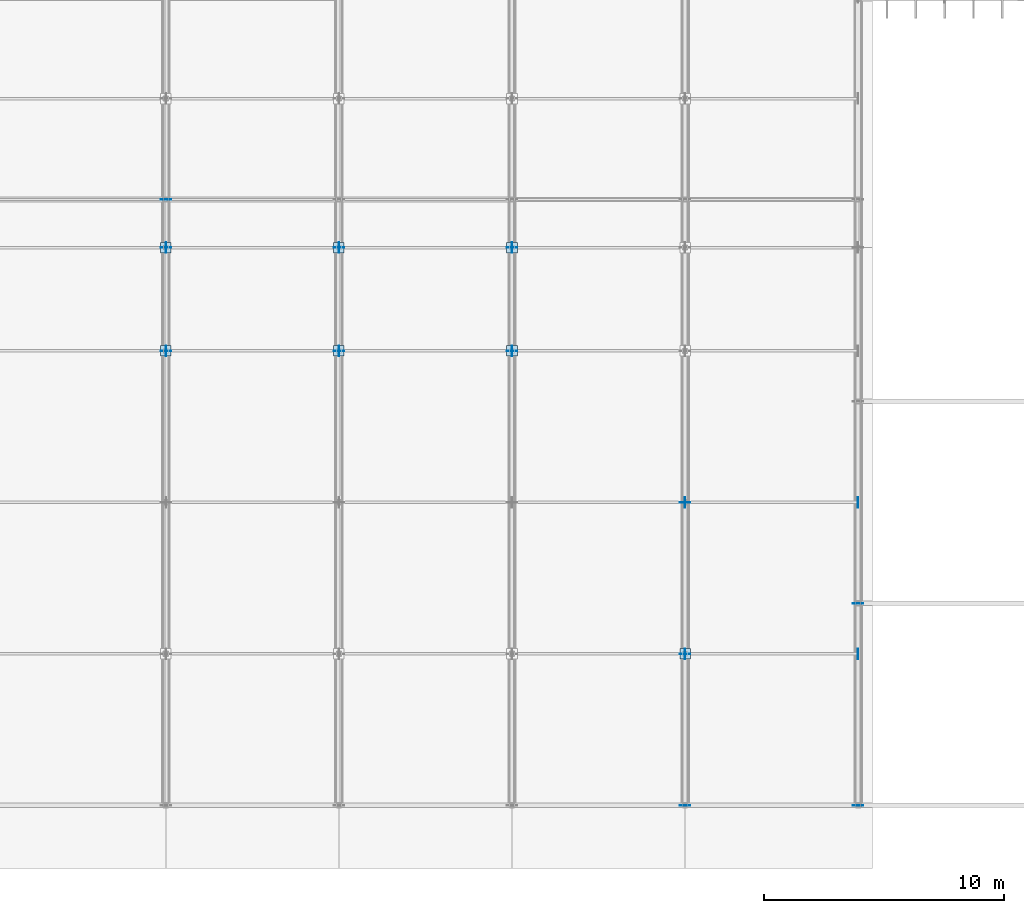
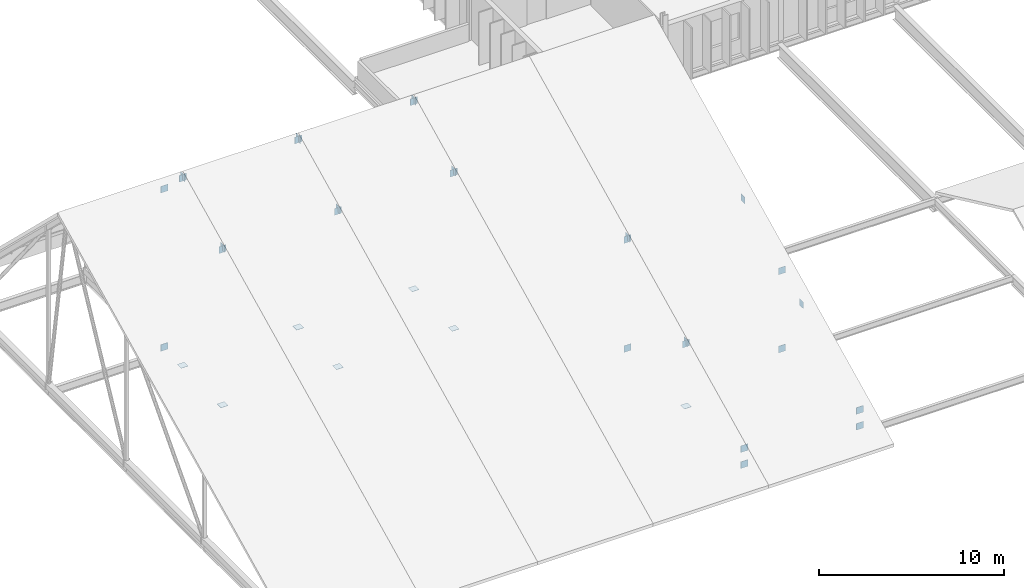
# One storey, part 70 of 99: 34 plates.
"""IFC4 building model written with IfcOpenShell, lengths in metres."""

import ifcopenshell
import ifcopenshell.guid

model = None  # the IFC model being written
_history = None  # IfcOwnerHistory: only IFC2X3 demands one
_inside = {}  # id of a spatial element -> (the spatial element, [elements in it])
_under = {}  # id of a project, library or spatial element -> (it, [spatial elements below it])
_declared = {}  # id of a project -> (the project, [libraries it declares])
_typed = {}  # id of a type object -> (the type object, [elements of that type])
_made_of = {}  # id of a material, layer set ... -> (it, [elements and type objects made of it])


def new_model(schema):
    """Start an empty IFC model of exactly this schema.

    Asked for "IFC4X3", IfcOpenShell would pick the latest addendum, in which some entities
    have other attributes; the version numbers below select the first issue.
    IFC2X3 requires an IfcOwnerHistory on every rooted entity: one is made here for all.
    """
    global model, _history
    if schema == "IFC4X3":
        model = ifcopenshell.file(schema_version=(4, 3, 0, 0))
    else:
        model = ifcopenshell.file(schema=schema)
    _inside.clear()
    _under.clear()
    _declared.clear()
    _typed.clear()
    _made_of.clear()
    _history = None
    if model.schema == "IFC2X3":
        org = make("IfcOrganization", Name="unknown")
        user = make(
            "IfcPersonAndOrganization",
            ThePerson=make("IfcPerson", FamilyName="unknown"),
            TheOrganization=org,
        )
        app = make(
            "IfcApplication",
            ApplicationDeveloper=org,
            Version="unknown",
            ApplicationFullName="unknown",
            ApplicationIdentifier="unknown",
        )
        _history = make(
            "IfcOwnerHistory",
            OwningUser=user,
            OwningApplication=app,
            ChangeAction="ADDED",
            CreationDate=0,
        )
    return model


def make(cls, **values):
    """One entity of the class cls with the attributes given. An attribute that is None is left unset."""
    return model.create_entity(
        cls, **{name: value for name, value in values.items() if value is not None}
    )


def rooted(cls, **values):
    """An entity with a GlobalId (a new one), such as an element, a storey or a relation."""
    return make(cls, GlobalId=ifcopenshell.guid.new(), OwnerHistory=_history, **values)


def si_unit(unit_type, name, prefix=None):
    """IfcSIUnit, for example si_unit("LENGTHUNIT", "METRE", prefix="MILLI")."""
    return make("IfcSIUnit", UnitType=unit_type, Prefix=prefix, Name=name)


def assignment(units):
    """IfcUnitAssignment: the units of a project."""
    return None if units is None else make("IfcUnitAssignment", Units=units)


def point(xyz):
    """IfcCartesianPoint."""
    return None if xyz is None else make("IfcCartesianPoint", Coordinates=xyz)


def direction(xyz):
    """IfcDirection."""
    return None if xyz is None else make("IfcDirection", DirectionRatios=xyz)


def frame(location, z_axis=None, x_axis=None):
    """IfcAxis2Placement3D, a coordinate frame: its origin and axes. An axis left out is left unset."""
    return make(
        "IfcAxis2Placement3D",
        Location=point(location),
        Axis=direction(z_axis),
        RefDirection=direction(x_axis),
    )


def frame_2d(location, x_axis=None):
    """IfcAxis2Placement2D, a coordinate frame in the plane: its origin and x axis."""
    return make(
        "IfcAxis2Placement2D", Location=point(location), RefDirection=direction(x_axis)
    )


def origin():
    """The frame at (0, 0, 0) with its axes left unset."""
    return frame((0.0, 0.0, 0.0))


def origin_2d():
    """The frame at (0, 0) in the plane with its x axis left unset."""
    return frame_2d((0.0, 0.0))


def place(relative_to, where):
    """IfcLocalPlacement: puts the frame where relative to a parent placement (None: the world)."""
    return make(
        "IfcLocalPlacement", PlacementRelTo=relative_to, RelativePlacement=where
    )


def context(
    kind, dimensions, precision=None, world=None, true_north=None, identifier=None
):
    """IfcGeometricRepresentationContext, for example the 3D "Model" context."""
    return make(
        "IfcGeometricRepresentationContext",
        ContextIdentifier=identifier,
        ContextType=kind,
        CoordinateSpaceDimension=dimensions,
        Precision=precision,
        WorldCoordinateSystem=world,
        TrueNorth=true_north,
    )


def subcontext(parent, identifier, kind, view, scale=None):
    """IfcGeometricRepresentationSubContext, for example "Body" below "Model"."""
    return make(
        "IfcGeometricRepresentationSubContext",
        ContextIdentifier=identifier,
        ContextType=kind,
        ParentContext=parent,
        TargetScale=scale,
        TargetView=view,
    )


def project(units=None, contexts=None):
    """IfcProject with its units and contexts."""
    return rooted(
        "IfcProject",
        Name="project",
        RepresentationContexts=contexts,
        UnitsInContext=assignment(units),
    )


def spatial(cls, under=None, at=None, **own):
    """A site, building, storey or space (cls), placed at a placement, below another one or the project."""
    s = rooted(cls, ObjectPlacement=at, **own)
    if under is not None:
        _under.setdefault(under.id(), (under, []))[1].append(s)
    return s


def profile(cls, at=None, kind="AREA", **sizes):
    """A parametric profile (cls). Its sizes go by their IFC names, for example OverallWidth=200.0."""
    return make(cls, ProfileType=kind, Position=at, **sizes)


def rectangle(**sizes):
    """IfcRectangleProfileDef."""
    return profile("IfcRectangleProfileDef", **sizes)


def extrude(swept, where, along, depth):
    """IfcExtrudedAreaSolid: the profile swept, set in the frame where, extruded along a direction by depth."""
    return make(
        "IfcExtrudedAreaSolid",
        SweptArea=swept,
        Position=where,
        ExtrudedDirection=direction(along),
        Depth=depth,
    )


def shape(context_of_items, identifier, shape_type, items):
    """IfcShapeRepresentation: the items that make up one representation, for example the "Body"."""
    return make(
        "IfcShapeRepresentation",
        ContextOfItems=context_of_items,
        RepresentationIdentifier=identifier,
        RepresentationType=shape_type,
        Items=items,
    )


def material(Name=None, Category=None):
    """IfcMaterial."""
    return make("IfcMaterial", Name=Name, Category=Category)


def layer(
    of_material, thickness, ventilated=None, Name=None, Category=None, Priority=None
):
    """IfcMaterialLayer: one layer of a wall or slab, of a material (None: an air gap)."""
    return make(
        "IfcMaterialLayer",
        Material=of_material,
        LayerThickness=thickness,
        IsVentilated=ventilated,
        Name=Name,
        Category=Category,
        Priority=Priority,
    )


def layer_set(layers, Name=None):
    """IfcMaterialLayerSet."""
    return make("IfcMaterialLayerSet", MaterialLayers=layers, LayerSetName=Name)


def made_of(thing, what):
    """Note that an element or type object is made of a material, layer set ...; save() writes the relation."""
    if what is not None:
        _made_of.setdefault(what.id(), (what, []))[1].append(thing)
    return thing


def type_object(cls, material=None, **own):
    """A type object (cls), such as IfcWallType, which elements share."""
    return made_of(rooted(cls, **own), material)


def element(
    cls,
    number,
    at=None,
    inside=None,
    cuts=None,
    type_object=None,
    material=None,
    context=None,
    identifier="Body",
    shape_type=None,
    held_by="IfcProductDefinitionShape",
    body=None,
    shapes=None,
    **own,
):
    """One element of the class cls, such as IfcWall. Its Tag is "e" and its number.

    at: its placement. inside: the storey or other place that contains it. cuts: it is an
    opening in that element (IfcRelVoidsElement). A single representation is given by context,
    identifier, shape_type and body (its items); several are given by shapes. held_by: the class
    of the entity that holds the representations. save() writes the other relations.
    """
    e = rooted(cls, Tag="e%d" % number, ObjectPlacement=at, **own)
    if body is not None:
        shapes = [shape(context, identifier, shape_type, body)]
    if shapes is not None:
        e.Representation = make(held_by, Representations=shapes)
    if inside is not None:
        _inside.setdefault(inside.id(), (inside, []))[1].append(e)
    if cuts is not None:
        rooted(
            "IfcRelVoidsElement", RelatingBuildingElement=cuts, RelatedOpeningElement=e
        )
    if type_object is not None:
        _typed.setdefault(type_object.id(), (type_object, []))[1].append(e)
    return made_of(e, material)


def aggregate(whole, parts):
    """IfcRelAggregates: a whole, such as a stair, and the parts it consists of."""
    return rooted("IfcRelAggregates", RelatingObject=whole, RelatedObjects=parts)


def save(model, path):
    """Write the relations noted so far, then the file.

    IfcRelAggregates (storeys below a building ...), IfcRelContainedInSpatialStructure (elements
    in a storey), IfcRelDefinesByType, IfcRelAssociatesMaterial and IfcRelDeclares: one each for
    every whole, place, type object, material and project.
    """
    for whole, parts in _under.values():
        aggregate(whole, parts)
    for where, things in _inside.values():
        rooted(
            "IfcRelContainedInSpatialStructure",
            RelatedElements=things,
            RelatingStructure=where,
        )
    for kind, things in _typed.values():
        rooted("IfcRelDefinesByType", RelatedObjects=things, RelatingType=kind)
    for what, things in _made_of.values():
        rooted("IfcRelAssociatesMaterial", RelatedObjects=things, RelatingMaterial=what)
    for by, libraries in _declared.values():
        rooted("IfcRelDeclares", RelatingContext=by, RelatedDefinitions=libraries)
    model.write(path)


model = new_model("IFC4")

# Units and contexts
model_context = context("Model", 3, precision=1e-05, world=origin(), true_north=direction((0.0, 1.0)))
body_context = subcontext(model_context, "Body", "Model", "MODEL_VIEW")
ifc_project = project(units=[si_unit("LENGTHUNIT", "METRE"), si_unit("AREAUNIT", "SQUARE_METRE"), si_unit("VOLUMEUNIT", "CUBIC_METRE"), si_unit("PLANEANGLEUNIT", "RADIAN"), si_unit("MASSUNIT", "GRAM", prefix="KILO")], contexts=[model_context])

# Site, building, storey
site_placement = place(None, origin())
site = spatial("IfcSite", under=ifc_project, at=site_placement, CompositionType="ELEMENT")
building_placement = place(site_placement, origin())
building = spatial("IfcBuilding", under=site, at=building_placement, Name="Qelthora Terrace Specialist Clinic", CompositionType="ELEMENT")
storey_placement = place(building_placement, frame((0.0, 0.0, 9.0)))
storey = spatial("IfcBuildingStorey", under=building, at=storey_placement, Name="L02", CompositionType="ELEMENT", Elevation=9.0)

# Plates
ifc_material = material(Name="Steel S355", Category="steel")
ifc_layer_1 = layer(ifc_material, 0.011962890625)
ifc_layer_set_1 = layer_set([ifc_layer_1], Name="Steel S355")
plate_type_1 = type_object("IfcPlateType", Name="PLT-CAP-360X360X12", PredefinedType="USERDEFINED", material=ifc_layer_set_1)
for number, where, z_axis, x_axis, name in (
    (1, (64.800048828125, 23.199951171875, -0.05615234375), (0.0, 0.0, 1.0), (1.0, 0.0, 0.0), "Steel truss node plate GPLT-0021"),
    (2, (64.800048828125, 18.89990234375, -0.05615234375), (0.0, 0.0, 1.0), (1.0, 0.0, 0.0), "Steel truss node plate GPLT-0027"),
    (3, (72.0, 23.199951171875, -0.05615234375), (0.0, 0.0, 1.0), (1.0, 0.0, 0.0), "Steel truss node plate GPLT-0037"),
    (4, (72.0, 18.89990234375, -0.05615234375), (0.0, 0.0, 1.0), (1.0, 0.0, 0.0), "Steel truss node plate GPLT-0043"),
    (5, (79.199951171875, 23.199951171875, -0.05615234375), (0.0, 0.0, 1.0), (1.0, 0.0, 0.0), "Steel truss node plate GPLT-0053"),
    (6, (79.199951171875, 18.89990234375, -0.05615234375), (0.0, 0.0, 1.0), (1.0, 0.0, 0.0), "Steel truss node plate GPLT-0059"),
):
    element("IfcPlate", number, at=place(storey_placement, frame(where, z_axis=z_axis, x_axis=x_axis)), inside=storey, type_object=plate_type_1, Name=name, ObjectType="GUSSET PLATE", PredefinedType="USERDEFINED", context=body_context, shape_type="SweptSolid", body=[
        extrude(rectangle(XDim=0.43994140625, YDim=0.43994140625, at=origin_2d()), origin(), (0.0, 0.0, 1.0), 0.011962890625),
    ])
plate_1_placement = place(storey_placement, frame((86.39990234375, 12.60009765625, -0.27001953125), z_axis=(0.0, 0.0, 1.0), x_axis=(1.0, 0.0, 0.0)))
element("IfcPlate", 7, at=plate_1_placement, inside=storey, type_object=plate_type_1, Name="Steel truss node plate GPLT-0066", ObjectType="GUSSET PLATE", PredefinedType="USERDEFINED", context=body_context, shape_type="SweptSolid", body=[
    extrude(rectangle(XDim=0.43994140625, YDim=0.011962890625, at=origin_2d()), origin(), (0.0, 0.0, 1.0), 0.43994140625),
])
plate_2_placement = place(storey_placement, frame((86.39990234375, 6.300048828125, -0.05615234375), z_axis=(0.0, 0.0, 1.0), x_axis=(1.0, 0.0, 0.0)))
element("IfcPlate", 8, at=plate_2_placement, inside=storey, type_object=plate_type_1, Name="Steel truss node plate GPLT-0074", ObjectType="GUSSET PLATE", PredefinedType="USERDEFINED", context=body_context, shape_type="SweptSolid", body=[
    extrude(rectangle(XDim=0.43994140625, YDim=0.43994140625, at=origin_2d()), origin(), (0.0, 0.0, 1.0), 0.011962890625),
])
for number, where, z_axis, x_axis, name in (
    (9, (86.39990234375, 6.300048828125, 3.96533203125), (0.0, 0.0, 1.0), (1.0, 0.0, 0.0), "Steel truss node plate GPLT-0091"),
    (10, (93.60009765625, 6.300048828125, 3.96533203125), (0.0, 0.0, 1.0), (1.0, 0.0, 0.0), "Steel truss node plate GPLT-0092"),
    (11, (86.39990234375, 12.60009765625, 7.037353515625), (0.0, 0.0, 1.0), (1.0, 0.0, 0.0), "Steel truss node plate GPLT-0097"),
    (12, (93.60009765625, 12.60009765625, 7.037353515625), (0.0, 0.0, 1.0), (1.0, 0.0, 0.0), "Steel truss node plate GPLT-0098"),
    (13, (64.800048828125, 18.89990234375, 10.109375), (0.0, 0.0, 1.0), (1.0, 0.0, 0.0), "Steel truss node plate GPLT-0100"),
    (14, (72.0, 18.89990234375, 10.109375), (0.0, 0.0, 1.0), (1.0, 0.0, 0.0), "Steel truss node plate GPLT-0101"),
    (15, (79.199951171875, 18.89990234375, 10.109375), (0.0, 0.0, 1.0), (1.0, 0.0, 0.0), "Steel truss node plate GPLT-0102"),
    (16, (64.800048828125, 23.199951171875, 12.154052734375), (0.0, 0.0, 1.0), (1.0, 0.0, 0.0), "Steel truss node plate GPLT-0106"),
    (17, (72.0, 23.199951171875, 12.154052734375), (0.0, 0.0, 1.0), (1.0, 0.0, 0.0), "Steel truss node plate GPLT-0107"),
    (18, (79.199951171875, 23.199951171875, 12.154052734375), (0.0, 0.0, 1.0), (1.0, 0.0, 0.0), "Steel truss node plate GPLT-0108"),
):
    element("IfcPlate", number, at=place(storey_placement, frame(where, z_axis=z_axis, x_axis=x_axis)), inside=storey, type_object=plate_type_1, Name=name, ObjectType="GUSSET PLATE", PredefinedType="USERDEFINED", context=body_context, shape_type="SweptSolid", body=[
        extrude(rectangle(XDim=0.011962890625, YDim=0.43994140625, at=origin_2d()), origin(), (0.0, 0.0, 1.0), 0.43994140625),
    ])
ifc_layer_2 = layer(ifc_material, 0.02001953125)
ifc_layer_set_2 = layer_set([ifc_layer_2], Name="Steel S355")
plate_type_2 = type_object("IfcPlateType", Name="PLT-GUS-480X480X20", PredefinedType="USERDEFINED", material=ifc_layer_set_2)
for number, where, z_axis, x_axis, name in (
    (19, (64.800048828125, 25.199951171875, -0.27001953125), (0.0, 0.0, 1.0), (1.0, 0.0, 0.0), "Steel truss node plate GPLT-0013"),
    (20, (64.800048828125, 18.89990234375, 9.993408203125), (0.0, 0.0, 1.0), (1.0, 0.0, 0.0), "Steel truss node plate GPLT-0019"),
    (21, (64.800048828125, 23.199951171875, 12.090087890625), (0.0, 0.0, 1.0), (1.0, 0.0, 0.0), "Steel truss node plate GPLT-0020"),
    (22, (64.800048828125, 25.199951171875, 10.157470703125), (0.0, 0.0, 1.0), (1.0, 0.0, 0.0), "Steel truss node plate GPLT-0022"),
    (23, (72.0, 18.89990234375, 9.993408203125), (0.0, 0.0, 1.0), (1.0, 0.0, 0.0), "Steel truss node plate GPLT-0035"),
    (24, (72.0, 23.199951171875, 12.090087890625), (0.0, 0.0, 1.0), (1.0, 0.0, 0.0), "Steel truss node plate GPLT-0036"),
    (25, (79.199951171875, 18.89990234375, 9.993408203125), (0.0, 0.0, 1.0), (1.0, 0.0, 0.0), "Steel truss node plate GPLT-0051"),
    (26, (79.199951171875, 23.199951171875, 12.090087890625), (0.0, 0.0, 1.0), (1.0, 0.0, 0.0), "Steel truss node plate GPLT-0052"),
    (27, (86.39990234375, 0.0, -0.27001953125), (0.0, 0.0, 1.0), (1.0, 0.0, 0.0), "Steel truss node plate GPLT-0060"),
    (28, (86.39990234375, 0.0, 0.77734375), (0.0, 0.0, 1.0), (1.0, 0.0, 0.0), "Steel truss node plate GPLT-0063"),
    (29, (86.39990234375, 6.300048828125, 3.849365234375), (0.0, 0.0, 1.0), (1.0, 0.0, 0.0), "Steel truss node plate GPLT-0064"),
    (30, (86.39990234375, 12.60009765625, 6.92138671875), (0.0, 0.0, 1.0), (1.0, 0.0, 0.0), "Steel truss node plate GPLT-0065"),
    (31, (93.60009765625, 0.0, -0.27001953125), (0.0, 0.0, 1.0), (1.0, 0.0, 0.0), "Steel truss node plate GPLT-0076"),
    (32, (93.60009765625, 8.39990234375, -0.27001953125), (0.0, 0.0, 1.0), (1.0, 0.0, 0.0), "Steel truss node plate GPLT-0077"),
    (33, (93.60009765625, 0.0, 0.77734375), (0.0, 0.0, 1.0), (1.0, 0.0, 0.0), "Steel truss node plate GPLT-0081"),
    (34, (93.60009765625, 8.39990234375, 4.873291015625), (0.0, 0.0, 1.0), (1.0, 0.0, 0.0), "Steel truss node plate GPLT-0082"),
):
    element("IfcPlate", number, at=place(storey_placement, frame(where, z_axis=z_axis, x_axis=x_axis)), inside=storey, type_object=plate_type_2, Name=name, ObjectType="GUSSET PLATE", PredefinedType="USERDEFINED", context=body_context, shape_type="SweptSolid", body=[
        extrude(rectangle(XDim=0.43994140625, YDim=0.02001953125, at=origin_2d()), origin(), (0.0, 0.0, 1.0), 0.43994140625),
    ])

save(model, "model.ifc")
